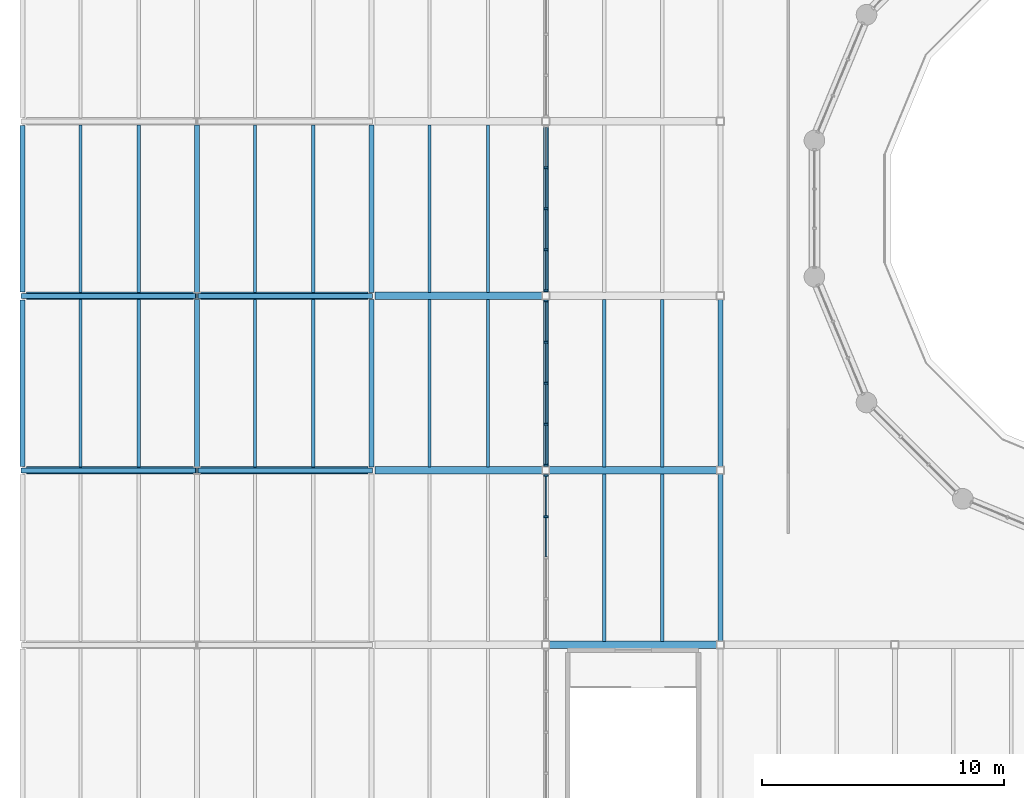
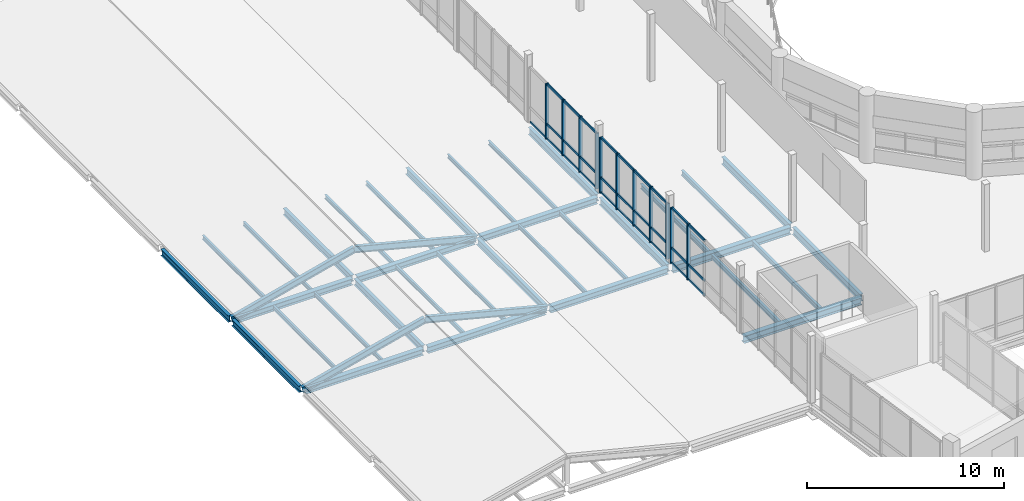
# One storey, part 17 of 63: 43 members, 34 beams, 3 elements without a shape of their own.
"""IFC4 building model written with IfcOpenShell, lengths in metres."""

from ifc_helpers import new_model, si_unit, direction, frame, origin, origin_2d, place, context, subcontext, project, spatial, rectangle, i_section, extrude, material, material_profile, profile_set, type_object, element, aggregate, save


model = new_model("IFC4")

# Units and contexts
model_context = context("Model", 3, precision=1e-05, world=origin(), true_north=direction((0.0, 1.0)))
body_context = subcontext(model_context, "Body", "Model", "MODEL_VIEW")
ifc_project = project(units=[si_unit("LENGTHUNIT", "METRE"), si_unit("AREAUNIT", "SQUARE_METRE"), si_unit("VOLUMEUNIT", "CUBIC_METRE"), si_unit("PLANEANGLEUNIT", "RADIAN"), si_unit("MASSUNIT", "GRAM", prefix="KILO")], contexts=[model_context])

# Site, building, storey
site_placement = place(None, origin())
site = spatial("IfcSite", under=ifc_project, at=site_placement, CompositionType="ELEMENT")
building_placement = place(site_placement, origin())
building = spatial("IfcBuilding", under=site, at=building_placement, Name="Qiaolan Assembly House", CompositionType="ELEMENT")
storey_placement = place(building_placement, frame((0.0, 0.0, 14.39990234375)))
storey = spatial("IfcBuildingStorey", under=building, at=storey_placement, Name="L03", CompositionType="ELEMENT", Elevation=14.39990234375)

# Beams
ifc_material_1 = material(Name="Steel Q355B", Category="steel")
ifc_material_profile_1 = material_profile(ifc_material_1, i_section(OverallWidth=0.300048828125, OverallDepth=0.389892578125, WebThickness=0.010009765625, FlangeThickness=0.01611328125, FilletRadius=0.01806640625, at=origin_2d()), Name="HM 390x300x10x16")
ifc_profile_set_1 = profile_set([ifc_material_profile_1], Name="Steel Q355B")
beam_type_1 = type_object("IfcBeamType", Name="BM-STL-HM390", PredefinedType="BEAM", material=ifc_profile_set_1)
beam_1_placement = place(storey_placement, frame((21.764892578125, 50.39990234375, -0.494873046875), z_axis=(1.0, 0.0, 0.0), x_axis=(0.0, 1.0, 0.0)))
element("IfcBeam", 1, at=beam_1_placement, inside=storey, type_object=beam_type_1, Name="SB-08 beam BMX-HLWTR-L03-00-02", PredefinedType="BEAM", context=body_context, shape_type="SweptSolid", body=[
    extrude(i_section(OverallWidth=0.300048828125, OverallDepth=0.389892578125, WebThickness=0.010009765625, FlangeThickness=0.01611328125, FilletRadius=0.01806640625, at=origin_2d()), origin(), (0.0, 0.0, 1.0), 6.89501953125),
])
for number, where, z_axis, x_axis, name in (
    (2, (28.93994140625, 50.39990234375, -0.494873046875), (1.0, 0.0, 0.0), (0.0, 1.0, 0.0), "SB-08 beam BMX-HLWTR-L03-01-02"),
    (3, (36.139892578125, 50.39990234375, -0.494873046875), (1.0, 0.0, 0.0), (0.0, 1.0, 0.0), "SB-08 beam BMX-HLWTR-L03-02-02"),
):
    element("IfcBeam", number, at=place(storey_placement, frame(where, z_axis=z_axis, x_axis=x_axis)), inside=storey, type_object=beam_type_1, Name=name, PredefinedType="BEAM", context=body_context, shape_type="SweptSolid", body=[
        extrude(i_section(OverallWidth=0.300048828125, OverallDepth=0.389892578125, WebThickness=0.010009765625, FlangeThickness=0.01611328125, FilletRadius=0.01806640625, at=origin_2d()), origin(), (0.0, 0.0, 1.0), 6.920166015625),
    ])
beam_2_placement = place(storey_placement, frame((21.764892578125, 57.60009765625, -0.494873046875), z_axis=(1.0, 0.0, 0.0), x_axis=(0.0, 1.0, 0.0)))
element("IfcBeam", 4, at=beam_2_placement, inside=storey, type_object=beam_type_1, Name="SB-08 beam BMX-HLWTR-L03-00-03", PredefinedType="BEAM", context=body_context, shape_type="SweptSolid", body=[
    extrude(i_section(OverallWidth=0.300048828125, OverallDepth=0.389892578125, WebThickness=0.010009765625, FlangeThickness=0.01611328125, FilletRadius=0.01806640625, at=origin_2d()), origin(), (0.0, 0.0, 1.0), 6.89501953125),
])
for number, where, z_axis, x_axis, name in (
    (5, (28.93994140625, 57.60009765625, -0.494873046875), (1.0, 0.0, 0.0), (0.0, 1.0, 0.0), "SB-08 beam BMX-HLWTR-L03-01-03"),
    (6, (36.139892578125, 57.60009765625, -0.494873046875), (1.0, 0.0, 0.0), (0.0, 1.0, 0.0), "SB-08 beam BMX-HLWTR-L03-02-03"),
):
    element("IfcBeam", number, at=place(storey_placement, frame(where, z_axis=z_axis, x_axis=x_axis)), inside=storey, type_object=beam_type_1, Name=name, PredefinedType="BEAM", context=body_context, shape_type="SweptSolid", body=[
        extrude(i_section(OverallWidth=0.300048828125, OverallDepth=0.389892578125, WebThickness=0.010009765625, FlangeThickness=0.01611328125, FilletRadius=0.01806640625, at=origin_2d()), origin(), (0.0, 0.0, 1.0), 6.920166015625),
    ])
ifc_material_profile_2 = material_profile(ifc_material_1, i_section(OverallWidth=0.300048828125, OverallDepth=0.43994140625, WebThickness=0.010986328125, FlangeThickness=0.01806640625, FilletRadius=0.02001953125, at=origin_2d()), Name="HM 440x300x11x18")
ifc_profile_set_2 = profile_set([ifc_material_profile_2], Name="Steel Q355B")
beam_type_2 = type_object("IfcBeamType", Name="BM-STL-HM440", PredefinedType="BEAM", material=ifc_profile_set_2)
for number, where, z_axis, x_axis, name in (
    (7, (43.340087890625, 43.199951171875, -0.52001953125), (1.0, 0.0, 0.0), (0.0, 1.0, 0.0), "SB-06 beam BMX-HLC-L03-00-01"),
    (8, (43.340087890625, 50.39990234375, -0.52001953125), (1.0, 0.0, 0.0), (0.0, 1.0, 0.0), "SB-06 beam BMX-HLC-L03-00-02"),
):
    element("IfcBeam", number, at=place(storey_placement, frame(where, z_axis=z_axis, x_axis=x_axis)), inside=storey, type_object=beam_type_2, Name=name, PredefinedType="BEAM", context=body_context, shape_type="SweptSolid", body=[
        extrude(i_section(OverallWidth=0.300048828125, OverallDepth=0.43994140625, WebThickness=0.010986328125, FlangeThickness=0.01806640625, FilletRadius=0.02001953125, at=origin_2d()), origin(), (0.0, 0.0, 1.0), 6.919921875),
    ])
ifc_material_profile_3 = material_profile(ifc_material_1, i_section(OverallWidth=0.199951171875, OverallDepth=0.39990234375, WebThickness=0.008056640625, FlangeThickness=0.012939453125, FilletRadius=0.01611328125, at=origin_2d()), Name="HN 400x200x8x13")
ifc_profile_set_3 = profile_set([ifc_material_profile_3], Name="Steel Q355B")
beam_type_3 = type_object("IfcBeamType", Name="BM-STL-HN400", PredefinedType="BEAM", material=ifc_profile_set_3)
for number, where, z_axis, x_axis, name in (
    (9, (21.60009765625, 50.56494140625, -0.5), (0.0, 1.0, 0.0), (-1.0, 0.0, 0.0), "SB-09 beam BMY-HLWTR-L03-00-02"),
    (10, (21.60009765625, 57.764892578125, -0.5), (0.0, 1.0, 0.0), (-1.0, 0.0, 0.0), "SB-09 beam BMY-HLWTR-L03-00-03"),
):
    element("IfcBeam", number, at=place(storey_placement, frame(where, z_axis=z_axis, x_axis=x_axis)), inside=storey, type_object=beam_type_3, Name=name, PredefinedType="BEAM", context=body_context, shape_type="SweptSolid", body=[
        extrude(i_section(OverallWidth=0.199951171875, OverallDepth=0.39990234375, WebThickness=0.008056640625, FlangeThickness=0.012939453125, FilletRadius=0.01611328125, at=origin_2d()), origin(), (0.0, 0.0, 1.0), 6.8701171875),
    ])
for number, where, z_axis, x_axis, name in (
    (11, (28.800048828125, 50.5400390625, -0.5), (0.0, 1.0, 0.0), (-1.0, 0.0, 0.0), "SB-09 beam BMY-HLWTR-L03-01-02"),
    (12, (28.800048828125, 57.739990234375, -0.5), (0.0, 1.0, 0.0), (-1.0, 0.0, 0.0), "SB-09 beam BMY-HLWTR-L03-01-03"),
    (13, (36.0, 50.5400390625, -0.5), (0.0, 1.0, 0.0), (-1.0, 0.0, 0.0), "SB-09 beam BMY-HLWTR-L03-02-02"),
    (14, (36.0, 57.739990234375, -0.5), (0.0, 1.0, 0.0), (-1.0, 0.0, 0.0), "SB-09 beam BMY-HLWTR-L03-02-03"),
):
    element("IfcBeam", number, at=place(storey_placement, frame(where, z_axis=z_axis, x_axis=x_axis)), inside=storey, type_object=beam_type_3, Name=name, PredefinedType="BEAM", context=body_context, shape_type="SweptSolid", body=[
        extrude(i_section(OverallWidth=0.199951171875, OverallDepth=0.39990234375, WebThickness=0.008056640625, FlangeThickness=0.012939453125, FilletRadius=0.01611328125, at=origin_2d()), origin(), (0.0, 0.0, 1.0), 6.919921875),
    ])
ifc_material_profile_4 = material_profile(ifc_material_1, i_section(OverallWidth=0.199951171875, OverallDepth=0.449951171875, WebThickness=0.009033203125, FlangeThickness=0.013916015625, FilletRadius=0.01611328125, at=origin_2d()), Name="HN 450x200x9x14")
ifc_profile_set_4 = profile_set([ifc_material_profile_4], Name="Steel Q355B")
beam_type_4 = type_object("IfcBeamType", Name="BM-STL-HN450", PredefinedType="BEAM", material=ifc_profile_set_4)
for number, where, z_axis, x_axis, name in (
    (15, (43.199951171875, 50.5400390625, -0.52490234375), (0.0, 1.0, 0.0), (-1.0, 0.0, 0.0), "SB-07 beam BMY-HLC-L03-00-02"),
    (16, (43.199951171875, 57.739990234375, -0.52490234375), (0.0, 1.0, 0.0), (-1.0, 0.0, 0.0), "SB-07 beam BMY-HLC-L03-00-03"),
    (17, (50.39990234375, 43.340087890625, -0.52490234375), (0.0, 1.0, 0.0), (-1.0, 0.0, 0.0), "SB-07 beam BMY-HLC-L03-01-01"),
    (18, (50.39990234375, 50.5400390625, -0.52490234375), (0.0, 1.0, 0.0), (-1.0, 0.0, 0.0), "SB-07 beam BMY-HLC-L03-01-02"),
):
    element("IfcBeam", number, at=place(storey_placement, frame(where, z_axis=z_axis, x_axis=x_axis)), inside=storey, type_object=beam_type_4, Name=name, PredefinedType="BEAM", context=body_context, shape_type="SweptSolid", body=[
        extrude(i_section(OverallWidth=0.199951171875, OverallDepth=0.449951171875, WebThickness=0.009033203125, FlangeThickness=0.013916015625, FilletRadius=0.01611328125, at=origin_2d()), origin(), (0.0, 0.0, 1.0), 6.919921875),
    ])

# Curtain wall, members
ifc_material_2 = material(Name="Anodised bronze aluminium", Category="aluminium")
curtain_wall_type = type_object("IfcCurtainWallType", Name="CW-HALL-CONC-420", PredefinedType="NOTDEFINED", material=ifc_material_2)
curtain_wall_1_placement = place(storey_placement, origin())
curtain_wall_1 = element("IfcCurtainWall", 19, at=curtain_wall_1_placement, inside=storey, type_object=curtain_wall_type, Name="CW-07 L03 Concourse West CW 2", PredefinedType="NOTDEFINED")
ifc_material_profile_5 = material_profile(ifc_material_2, rectangle(XDim=0.08203125, YDim=0.18994140625, at=origin_2d()), Name="MUL 82x190")
ifc_profile_set_5 = profile_set([ifc_material_profile_5], Name="Anodised bronze aluminium")
member_type_1 = type_object("IfcMemberType", Name="CW-HALL-CONC-420-MUL", PredefinedType="MULLION", material=ifc_profile_set_5)
member_1_placement = place(storey_placement, frame((43.199951171875, 48.4951171875, 0.0), z_axis=(0.0, 0.0, 1.0), x_axis=(0.0, 1.0, 0.0)))
member_1 = element("IfcMember", 20, at=member_1_placement, type_object=member_type_1, Name="ML-03 mullion CW-HLC-W-01-4", PredefinedType="MULLION", context=body_context, shape_type="SweptSolid", body=[
    extrude(rectangle(XDim=0.08203125, YDim=0.18994140625, at=origin_2d()), origin(), (0.0, 0.0, 1.0), 3.4501953125),
])
member_2_placement = place(storey_placement, frame((43.199951171875, 50.18994140625, 0.0), z_axis=(0.0, 0.0, 1.0), x_axis=(0.0, 1.0, 0.0)))
member_2 = element("IfcMember", 21, at=member_2_placement, type_object=member_type_1, Name="ML-03 mullion CW-HLC-W-01-5", PredefinedType="MULLION", context=body_context, shape_type="SweptSolid", body=[
    extrude(rectangle(XDim=0.08203125, YDim=0.18994140625, at=origin_2d()), origin(), (0.0, 0.0, 1.0), 3.4501953125),
])

curtain_wall_2_placement = place(storey_placement, origin())
curtain_wall_2 = element("IfcCurtainWall", 22, at=curtain_wall_2_placement, inside=storey, type_object=curtain_wall_type, Name="CW-07 L03 Concourse West CW 3", PredefinedType="NOTDEFINED")
member_3_placement = place(storey_placement, frame((43.199951171875, 50.610107421875, 0.0), z_axis=(0.0, 0.0, 1.0), x_axis=(0.0, 1.0, 0.0)))
member_3 = element("IfcMember", 23, at=member_3_placement, type_object=member_type_1, Name="ML-03 mullion CW-HLC-W-02-1", PredefinedType="MULLION", context=body_context, shape_type="SweptSolid", body=[
    extrude(rectangle(XDim=0.08203125, YDim=0.18994140625, at=origin_2d()), origin(), (0.0, 0.0, 1.0), 3.4501953125),
])
member_4_placement = place(storey_placement, frame((43.199951171875, 52.304931640625, 0.0), z_axis=(0.0, 0.0, 1.0), x_axis=(0.0, 1.0, 0.0)))
member_4 = element("IfcMember", 24, at=member_4_placement, type_object=member_type_1, Name="ML-03 mullion CW-HLC-W-02-2", PredefinedType="MULLION", context=body_context, shape_type="SweptSolid", body=[
    extrude(rectangle(XDim=0.08203125, YDim=0.18994140625, at=origin_2d()), origin(), (0.0, 0.0, 1.0), 3.4501953125),
])
member_5_placement = place(storey_placement, frame((43.199951171875, 54.0, 0.0), z_axis=(0.0, 0.0, 1.0), x_axis=(0.0, 1.0, 0.0)))
member_5 = element("IfcMember", 25, at=member_5_placement, type_object=member_type_1, Name="ML-03 mullion CW-HLC-W-02-3", PredefinedType="MULLION", context=body_context, shape_type="SweptSolid", body=[
    extrude(rectangle(XDim=0.08203125, YDim=0.18994140625, at=origin_2d()), origin(), (0.0, 0.0, 1.0), 3.4501953125),
])
member_6_placement = place(storey_placement, frame((43.199951171875, 55.695068359375, 0.0), z_axis=(0.0, 0.0, 1.0), x_axis=(0.0, 1.0, 0.0)))
member_6 = element("IfcMember", 26, at=member_6_placement, type_object=member_type_1, Name="ML-03 mullion CW-HLC-W-02-4", PredefinedType="MULLION", context=body_context, shape_type="SweptSolid", body=[
    extrude(rectangle(XDim=0.08203125, YDim=0.18994140625, at=origin_2d()), origin(), (0.0, 0.0, 1.0), 3.4501953125),
])
member_7_placement = place(storey_placement, frame((43.199951171875, 57.389892578125, 0.0), z_axis=(0.0, 0.0, 1.0), x_axis=(0.0, 1.0, 0.0)))
member_7 = element("IfcMember", 27, at=member_7_placement, type_object=member_type_1, Name="ML-03 mullion CW-HLC-W-02-5", PredefinedType="MULLION", context=body_context, shape_type="SweptSolid", body=[
    extrude(rectangle(XDim=0.08203125, YDim=0.18994140625, at=origin_2d()), origin(), (0.0, 0.0, 1.0), 3.4501953125),
])

curtain_wall_3_placement = place(storey_placement, origin())
curtain_wall_3 = element("IfcCurtainWall", 28, at=curtain_wall_3_placement, inside=storey, type_object=curtain_wall_type, Name="CW-07 L03 Concourse West CW 4", PredefinedType="NOTDEFINED")
member_8_placement = place(storey_placement, frame((43.199951171875, 57.81005859375, 0.0), z_axis=(0.0, 0.0, 1.0), x_axis=(0.0, 1.0, 0.0)))
member_8 = element("IfcMember", 29, at=member_8_placement, type_object=member_type_1, Name="ML-03 mullion CW-HLC-W-03-1", PredefinedType="MULLION", context=body_context, shape_type="SweptSolid", body=[
    extrude(rectangle(XDim=0.08203125, YDim=0.18994140625, at=origin_2d()), origin(), (0.0, 0.0, 1.0), 3.4501953125),
])
member_9_placement = place(storey_placement, frame((43.199951171875, 59.5048828125, 0.0), z_axis=(0.0, 0.0, 1.0), x_axis=(0.0, 1.0, 0.0)))
member_9 = element("IfcMember", 30, at=member_9_placement, type_object=member_type_1, Name="ML-03 mullion CW-HLC-W-03-2", PredefinedType="MULLION", context=body_context, shape_type="SweptSolid", body=[
    extrude(rectangle(XDim=0.08203125, YDim=0.18994140625, at=origin_2d()), origin(), (0.0, 0.0, 1.0), 3.4501953125),
])
member_10_placement = place(storey_placement, frame((43.199951171875, 61.199951171875, 0.0), z_axis=(0.0, 0.0, 1.0), x_axis=(0.0, 1.0, 0.0)))
member_10 = element("IfcMember", 31, at=member_10_placement, type_object=member_type_1, Name="ML-03 mullion CW-HLC-W-03-3", PredefinedType="MULLION", context=body_context, shape_type="SweptSolid", body=[
    extrude(rectangle(XDim=0.08203125, YDim=0.18994140625, at=origin_2d()), origin(), (0.0, 0.0, 1.0), 3.4501953125),
])
member_11_placement = place(storey_placement, frame((43.199951171875, 62.89501953125, 0.0), z_axis=(0.0, 0.0, 1.0), x_axis=(0.0, 1.0, 0.0)))
member_11 = element("IfcMember", 32, at=member_11_placement, type_object=member_type_1, Name="ML-03 mullion CW-HLC-W-03-4", PredefinedType="MULLION", context=body_context, shape_type="SweptSolid", body=[
    extrude(rectangle(XDim=0.08203125, YDim=0.18994140625, at=origin_2d()), origin(), (0.0, 0.0, 1.0), 3.4501953125),
])

# Member
ifc_material_profile_6 = material_profile(ifc_material_2, rectangle(XDim=0.072021484375, YDim=0.14501953125, at=origin_2d()), Name="TRN 72x145")
ifc_profile_set_6 = profile_set([ifc_material_profile_6], Name="Anodised bronze aluminium")
member_type_2 = type_object("IfcMemberType", Name="CW-HALL-CONC-420-TRN", PredefinedType="USERDEFINED", material=ifc_profile_set_6)
member_12_placement = place(storey_placement, frame((43.199951171875, 46.841064453125, 0.030029296875), z_axis=(0.0, 1.0, 0.0), x_axis=(-1.0, 0.0, 0.0)))
member_12 = element("IfcMember", 33, at=member_12_placement, type_object=member_type_2, Name="TR-03 transom CW-HLC-W-01-3-1", ObjectType="TRANSOM", PredefinedType="USERDEFINED", context=body_context, shape_type="SweptSolid", body=[
    extrude(rectangle(XDim=0.072021484375, YDim=0.14501953125, at=origin_2d()), origin(), (0.0, 0.0, 1.0), 1.613037109375),
])

member_13_placement = place(storey_placement, frame((43.199951171875, 46.841064453125, 0.9501953125), z_axis=(0.0, 1.0, 0.0), x_axis=(-1.0, 0.0, 0.0)))
member_13 = element("IfcMember", 34, at=member_13_placement, type_object=member_type_2, Name="TR-03 transom CW-HLC-W-01-3-2", ObjectType="TRANSOM", PredefinedType="USERDEFINED", context=body_context, shape_type="SweptSolid", body=[
    extrude(rectangle(XDim=0.072021484375, YDim=0.14501953125, at=origin_2d()), origin(), (0.0, 0.0, 1.0), 1.613037109375),
])

member_14_placement = place(storey_placement, frame((43.199951171875, 46.841064453125, 3.420166015625), z_axis=(0.0, 1.0, 0.0), x_axis=(-1.0, 0.0, 0.0)))
member_14 = element("IfcMember", 35, at=member_14_placement, type_object=member_type_2, Name="TR-03 transom CW-HLC-W-01-3-3", ObjectType="TRANSOM", PredefinedType="USERDEFINED", context=body_context, shape_type="SweptSolid", body=[
    extrude(rectangle(XDim=0.072021484375, YDim=0.14501953125, at=origin_2d()), origin(), (0.0, 0.0, 1.0), 1.613037109375),
])

member_15_placement = place(storey_placement, frame((43.199951171875, 48.535888671875, 0.030029296875), z_axis=(0.0, 1.0, 0.0), x_axis=(-1.0, 0.0, 0.0)))
member_15 = element("IfcMember", 36, at=member_15_placement, type_object=member_type_2, Name="TR-03 transom CW-HLC-W-01-4-1", ObjectType="TRANSOM", PredefinedType="USERDEFINED", context=body_context, shape_type="SweptSolid", body=[
    extrude(rectangle(XDim=0.072021484375, YDim=0.14501953125, at=origin_2d()), origin(), (0.0, 0.0, 1.0), 1.613037109375),
])

member_16_placement = place(storey_placement, frame((43.199951171875, 48.535888671875, 0.9501953125), z_axis=(0.0, 1.0, 0.0), x_axis=(-1.0, 0.0, 0.0)))
member_16 = element("IfcMember", 37, at=member_16_placement, type_object=member_type_2, Name="TR-03 transom CW-HLC-W-01-4-2", ObjectType="TRANSOM", PredefinedType="USERDEFINED", context=body_context, shape_type="SweptSolid", body=[
    extrude(rectangle(XDim=0.072021484375, YDim=0.14501953125, at=origin_2d()), origin(), (0.0, 0.0, 1.0), 1.613037109375),
])

member_17_placement = place(storey_placement, frame((43.199951171875, 48.535888671875, 3.420166015625), z_axis=(0.0, 1.0, 0.0), x_axis=(-1.0, 0.0, 0.0)))
member_17 = element("IfcMember", 38, at=member_17_placement, type_object=member_type_2, Name="TR-03 transom CW-HLC-W-01-4-3", ObjectType="TRANSOM", PredefinedType="USERDEFINED", context=body_context, shape_type="SweptSolid", body=[
    extrude(rectangle(XDim=0.072021484375, YDim=0.14501953125, at=origin_2d()), origin(), (0.0, 0.0, 1.0), 1.613037109375),
])

aggregate(curtain_wall_1, [member_1, member_2, member_12, member_13, member_14, member_15, member_16, member_17])

member_18_placement = place(storey_placement, frame((43.199951171875, 50.65087890625, 0.030029296875), z_axis=(0.0, 1.0, 0.0), x_axis=(-1.0, 0.0, 0.0)))
member_18 = element("IfcMember", 39, at=member_18_placement, type_object=member_type_2, Name="TR-03 transom CW-HLC-W-02-1-1", ObjectType="TRANSOM", PredefinedType="USERDEFINED", context=body_context, shape_type="SweptSolid", body=[
    extrude(rectangle(XDim=0.072021484375, YDim=0.14501953125, at=origin_2d()), origin(), (0.0, 0.0, 1.0), 1.613037109375),
])

member_19_placement = place(storey_placement, frame((43.199951171875, 50.65087890625, 0.9501953125), z_axis=(0.0, 1.0, 0.0), x_axis=(-1.0, 0.0, 0.0)))
member_19 = element("IfcMember", 40, at=member_19_placement, type_object=member_type_2, Name="TR-03 transom CW-HLC-W-02-1-2", ObjectType="TRANSOM", PredefinedType="USERDEFINED", context=body_context, shape_type="SweptSolid", body=[
    extrude(rectangle(XDim=0.072021484375, YDim=0.14501953125, at=origin_2d()), origin(), (0.0, 0.0, 1.0), 1.613037109375),
])

member_20_placement = place(storey_placement, frame((43.199951171875, 50.65087890625, 3.420166015625), z_axis=(0.0, 1.0, 0.0), x_axis=(-1.0, 0.0, 0.0)))
member_20 = element("IfcMember", 41, at=member_20_placement, type_object=member_type_2, Name="TR-03 transom CW-HLC-W-02-1-3", ObjectType="TRANSOM", PredefinedType="USERDEFINED", context=body_context, shape_type="SweptSolid", body=[
    extrude(rectangle(XDim=0.072021484375, YDim=0.14501953125, at=origin_2d()), origin(), (0.0, 0.0, 1.0), 1.613037109375),
])

member_21_placement = place(storey_placement, frame((43.199951171875, 52.345947265625, 0.030029296875), z_axis=(0.0, 1.0, 0.0), x_axis=(-1.0, 0.0, 0.0)))
member_21 = element("IfcMember", 42, at=member_21_placement, type_object=member_type_2, Name="TR-03 transom CW-HLC-W-02-2-1", ObjectType="TRANSOM", PredefinedType="USERDEFINED", context=body_context, shape_type="SweptSolid", body=[
    extrude(rectangle(XDim=0.072021484375, YDim=0.14501953125, at=origin_2d()), origin(), (0.0, 0.0, 1.0), 1.613037109375),
])

member_22_placement = place(storey_placement, frame((43.199951171875, 52.345947265625, 0.9501953125), z_axis=(0.0, 1.0, 0.0), x_axis=(-1.0, 0.0, 0.0)))
member_22 = element("IfcMember", 43, at=member_22_placement, type_object=member_type_2, Name="TR-03 transom CW-HLC-W-02-2-2", ObjectType="TRANSOM", PredefinedType="USERDEFINED", context=body_context, shape_type="SweptSolid", body=[
    extrude(rectangle(XDim=0.072021484375, YDim=0.14501953125, at=origin_2d()), origin(), (0.0, 0.0, 1.0), 1.613037109375),
])

member_23_placement = place(storey_placement, frame((43.199951171875, 52.345947265625, 3.420166015625), z_axis=(0.0, 1.0, 0.0), x_axis=(-1.0, 0.0, 0.0)))
member_23 = element("IfcMember", 44, at=member_23_placement, type_object=member_type_2, Name="TR-03 transom CW-HLC-W-02-2-3", ObjectType="TRANSOM", PredefinedType="USERDEFINED", context=body_context, shape_type="SweptSolid", body=[
    extrude(rectangle(XDim=0.072021484375, YDim=0.14501953125, at=origin_2d()), origin(), (0.0, 0.0, 1.0), 1.613037109375),
])

member_24_placement = place(storey_placement, frame((43.199951171875, 54.041015625, 0.030029296875), z_axis=(0.0, 1.0, 0.0), x_axis=(-1.0, 0.0, 0.0)))
member_24 = element("IfcMember", 45, at=member_24_placement, type_object=member_type_2, Name="TR-03 transom CW-HLC-W-02-3-1", ObjectType="TRANSOM", PredefinedType="USERDEFINED", context=body_context, shape_type="SweptSolid", body=[
    extrude(rectangle(XDim=0.072021484375, YDim=0.14501953125, at=origin_2d()), origin(), (0.0, 0.0, 1.0), 1.613037109375),
])

member_25_placement = place(storey_placement, frame((43.199951171875, 54.041015625, 0.9501953125), z_axis=(0.0, 1.0, 0.0), x_axis=(-1.0, 0.0, 0.0)))
member_25 = element("IfcMember", 46, at=member_25_placement, type_object=member_type_2, Name="TR-03 transom CW-HLC-W-02-3-2", ObjectType="TRANSOM", PredefinedType="USERDEFINED", context=body_context, shape_type="SweptSolid", body=[
    extrude(rectangle(XDim=0.072021484375, YDim=0.14501953125, at=origin_2d()), origin(), (0.0, 0.0, 1.0), 1.613037109375),
])

member_26_placement = place(storey_placement, frame((43.199951171875, 54.041015625, 3.420166015625), z_axis=(0.0, 1.0, 0.0), x_axis=(-1.0, 0.0, 0.0)))
member_26 = element("IfcMember", 47, at=member_26_placement, type_object=member_type_2, Name="TR-03 transom CW-HLC-W-02-3-3", ObjectType="TRANSOM", PredefinedType="USERDEFINED", context=body_context, shape_type="SweptSolid", body=[
    extrude(rectangle(XDim=0.072021484375, YDim=0.14501953125, at=origin_2d()), origin(), (0.0, 0.0, 1.0), 1.613037109375),
])

member_27_placement = place(storey_placement, frame((43.199951171875, 55.736083984375, 0.030029296875), z_axis=(0.0, 1.0, 0.0), x_axis=(-1.0, 0.0, 0.0)))
member_27 = element("IfcMember", 48, at=member_27_placement, type_object=member_type_2, Name="TR-03 transom CW-HLC-W-02-4-1", ObjectType="TRANSOM", PredefinedType="USERDEFINED", context=body_context, shape_type="SweptSolid", body=[
    extrude(rectangle(XDim=0.072021484375, YDim=0.14501953125, at=origin_2d()), origin(), (0.0, 0.0, 1.0), 1.613037109375),
])

member_28_placement = place(storey_placement, frame((43.199951171875, 55.736083984375, 0.9501953125), z_axis=(0.0, 1.0, 0.0), x_axis=(-1.0, 0.0, 0.0)))
member_28 = element("IfcMember", 49, at=member_28_placement, type_object=member_type_2, Name="TR-03 transom CW-HLC-W-02-4-2", ObjectType="TRANSOM", PredefinedType="USERDEFINED", context=body_context, shape_type="SweptSolid", body=[
    extrude(rectangle(XDim=0.072021484375, YDim=0.14501953125, at=origin_2d()), origin(), (0.0, 0.0, 1.0), 1.613037109375),
])

member_29_placement = place(storey_placement, frame((43.199951171875, 55.736083984375, 3.420166015625), z_axis=(0.0, 1.0, 0.0), x_axis=(-1.0, 0.0, 0.0)))
member_29 = element("IfcMember", 50, at=member_29_placement, type_object=member_type_2, Name="TR-03 transom CW-HLC-W-02-4-3", ObjectType="TRANSOM", PredefinedType="USERDEFINED", context=body_context, shape_type="SweptSolid", body=[
    extrude(rectangle(XDim=0.072021484375, YDim=0.14501953125, at=origin_2d()), origin(), (0.0, 0.0, 1.0), 1.613037109375),
])

aggregate(curtain_wall_2, [member_3, member_4, member_5, member_6, member_7, member_18, member_19, member_20, member_21, member_22, member_23, member_24, member_25, member_26, member_27, member_28, member_29])

member_30_placement = place(storey_placement, frame((43.199951171875, 57.85107421875, 0.030029296875), z_axis=(0.0, 1.0, 0.0), x_axis=(-1.0, 0.0, 0.0)))
member_30 = element("IfcMember", 51, at=member_30_placement, type_object=member_type_2, Name="TR-03 transom CW-HLC-W-03-1-1", ObjectType="TRANSOM", PredefinedType="USERDEFINED", context=body_context, shape_type="SweptSolid", body=[
    extrude(rectangle(XDim=0.072021484375, YDim=0.14501953125, at=origin_2d()), origin(), (0.0, 0.0, 1.0), 1.613037109375),
])

member_31_placement = place(storey_placement, frame((43.199951171875, 57.85107421875, 0.9501953125), z_axis=(0.0, 1.0, 0.0), x_axis=(-1.0, 0.0, 0.0)))
member_31 = element("IfcMember", 52, at=member_31_placement, type_object=member_type_2, Name="TR-03 transom CW-HLC-W-03-1-2", ObjectType="TRANSOM", PredefinedType="USERDEFINED", context=body_context, shape_type="SweptSolid", body=[
    extrude(rectangle(XDim=0.072021484375, YDim=0.14501953125, at=origin_2d()), origin(), (0.0, 0.0, 1.0), 1.613037109375),
])

member_32_placement = place(storey_placement, frame((43.199951171875, 57.85107421875, 3.420166015625), z_axis=(0.0, 1.0, 0.0), x_axis=(-1.0, 0.0, 0.0)))
member_32 = element("IfcMember", 53, at=member_32_placement, type_object=member_type_2, Name="TR-03 transom CW-HLC-W-03-1-3", ObjectType="TRANSOM", PredefinedType="USERDEFINED", context=body_context, shape_type="SweptSolid", body=[
    extrude(rectangle(XDim=0.072021484375, YDim=0.14501953125, at=origin_2d()), origin(), (0.0, 0.0, 1.0), 1.613037109375),
])

member_33_placement = place(storey_placement, frame((43.199951171875, 59.5458984375, 0.030029296875), z_axis=(0.0, 1.0, 0.0), x_axis=(-1.0, 0.0, 0.0)))
member_33 = element("IfcMember", 54, at=member_33_placement, type_object=member_type_2, Name="TR-03 transom CW-HLC-W-03-2-1", ObjectType="TRANSOM", PredefinedType="USERDEFINED", context=body_context, shape_type="SweptSolid", body=[
    extrude(rectangle(XDim=0.072021484375, YDim=0.14501953125, at=origin_2d()), origin(), (0.0, 0.0, 1.0), 1.613037109375),
])

member_34_placement = place(storey_placement, frame((43.199951171875, 59.5458984375, 0.9501953125), z_axis=(0.0, 1.0, 0.0), x_axis=(-1.0, 0.0, 0.0)))
member_34 = element("IfcMember", 55, at=member_34_placement, type_object=member_type_2, Name="TR-03 transom CW-HLC-W-03-2-2", ObjectType="TRANSOM", PredefinedType="USERDEFINED", context=body_context, shape_type="SweptSolid", body=[
    extrude(rectangle(XDim=0.072021484375, YDim=0.14501953125, at=origin_2d()), origin(), (0.0, 0.0, 1.0), 1.613037109375),
])

member_35_placement = place(storey_placement, frame((43.199951171875, 59.5458984375, 3.420166015625), z_axis=(0.0, 1.0, 0.0), x_axis=(-1.0, 0.0, 0.0)))
member_35 = element("IfcMember", 56, at=member_35_placement, type_object=member_type_2, Name="TR-03 transom CW-HLC-W-03-2-3", ObjectType="TRANSOM", PredefinedType="USERDEFINED", context=body_context, shape_type="SweptSolid", body=[
    extrude(rectangle(XDim=0.072021484375, YDim=0.14501953125, at=origin_2d()), origin(), (0.0, 0.0, 1.0), 1.613037109375),
])

member_36_placement = place(storey_placement, frame((43.199951171875, 61.240966796875, 0.030029296875), z_axis=(0.0, 1.0, 0.0), x_axis=(-1.0, 0.0, 0.0)))
member_36 = element("IfcMember", 57, at=member_36_placement, type_object=member_type_2, Name="TR-03 transom CW-HLC-W-03-3-1", ObjectType="TRANSOM", PredefinedType="USERDEFINED", context=body_context, shape_type="SweptSolid", body=[
    extrude(rectangle(XDim=0.072021484375, YDim=0.14501953125, at=origin_2d()), origin(), (0.0, 0.0, 1.0), 1.613037109375),
])

member_37_placement = place(storey_placement, frame((43.199951171875, 61.240966796875, 0.9501953125), z_axis=(0.0, 1.0, 0.0), x_axis=(-1.0, 0.0, 0.0)))
member_37 = element("IfcMember", 58, at=member_37_placement, type_object=member_type_2, Name="TR-03 transom CW-HLC-W-03-3-2", ObjectType="TRANSOM", PredefinedType="USERDEFINED", context=body_context, shape_type="SweptSolid", body=[
    extrude(rectangle(XDim=0.072021484375, YDim=0.14501953125, at=origin_2d()), origin(), (0.0, 0.0, 1.0), 1.613037109375),
])

member_38_placement = place(storey_placement, frame((43.199951171875, 61.240966796875, 3.420166015625), z_axis=(0.0, 1.0, 0.0), x_axis=(-1.0, 0.0, 0.0)))
member_38 = element("IfcMember", 59, at=member_38_placement, type_object=member_type_2, Name="TR-03 transom CW-HLC-W-03-3-3", ObjectType="TRANSOM", PredefinedType="USERDEFINED", context=body_context, shape_type="SweptSolid", body=[
    extrude(rectangle(XDim=0.072021484375, YDim=0.14501953125, at=origin_2d()), origin(), (0.0, 0.0, 1.0), 1.613037109375),
])

member_39_placement = place(storey_placement, frame((43.199951171875, 62.93603515625, 0.030029296875), z_axis=(0.0, 1.0, 0.0), x_axis=(-1.0, 0.0, 0.0)))
member_39 = element("IfcMember", 60, at=member_39_placement, type_object=member_type_2, Name="TR-03 transom CW-HLC-W-03-4-1", ObjectType="TRANSOM", PredefinedType="USERDEFINED", context=body_context, shape_type="SweptSolid", body=[
    extrude(rectangle(XDim=0.072021484375, YDim=0.14501953125, at=origin_2d()), origin(), (0.0, 0.0, 1.0), 1.613037109375),
])

aggregate(curtain_wall_3, [member_8, member_9, member_10, member_11, member_30, member_31, member_32, member_33, member_34, member_35, member_36, member_37, member_38, member_39])

# Beams
ifc_material_profile_7 = material_profile(ifc_material_1, i_section(OverallWidth=0.125, OverallDepth=0.25, WebThickness=0.006103515625, FlangeThickness=0.009033203125, FilletRadius=0.011962890625, at=origin_2d()), Name="HN 250x125x6x9")
ifc_profile_set_7 = profile_set([ifc_material_profile_7], Name="Steel Q355B")
beam_type_5 = type_object("IfcBeamType", Name="JST-STL-HN250", PredefinedType="JOIST", material=ifc_profile_set_7)
for number, where, z_axis, x_axis, name in (
    (61, (24.0, 50.5439453125, -0.4248046875), (0.0, 1.0, 0.0), (-1.0, 0.0, 0.0), "SJ-03 beam JST-HLWTR-L03-00-02-1"),
    (62, (26.39990234375, 50.5439453125, -0.4248046875), (0.0, 1.0, 0.0), (-1.0, 0.0, 0.0), "SJ-03 beam JST-HLWTR-L03-00-02-2"),
    (63, (24.0, 57.743896484375, -0.4248046875), (0.0, 1.0, 0.0), (-1.0, 0.0, 0.0), "SJ-03 beam JST-HLWTR-L03-00-03-1"),
    (64, (26.39990234375, 57.743896484375, -0.4248046875), (0.0, 1.0, 0.0), (-1.0, 0.0, 0.0), "SJ-03 beam JST-HLWTR-L03-00-03-2"),
    (65, (31.199951171875, 50.5439453125, -0.4248046875), (0.0, 1.0, 0.0), (-1.0, 0.0, 0.0), "SJ-03 beam JST-HLWTR-L03-01-02-1"),
    (66, (33.60009765625, 50.5439453125, -0.4248046875), (0.0, 1.0, 0.0), (-1.0, 0.0, 0.0), "SJ-03 beam JST-HLWTR-L03-01-02-2"),
    (67, (31.199951171875, 57.743896484375, -0.4248046875), (0.0, 1.0, 0.0), (-1.0, 0.0, 0.0), "SJ-03 beam JST-HLWTR-L03-01-03-1"),
    (68, (33.60009765625, 57.743896484375, -0.4248046875), (0.0, 1.0, 0.0), (-1.0, 0.0, 0.0), "SJ-03 beam JST-HLWTR-L03-01-03-2"),
    (69, (38.39990234375, 50.5439453125, -0.4248046875), (0.0, 1.0, 0.0), (-1.0, 0.0, 0.0), "SJ-03 beam JST-HLWTR-L03-02-02-1"),
    (70, (40.800048828125, 50.5439453125, -0.4248046875), (0.0, 1.0, 0.0), (-1.0, 0.0, 0.0), "SJ-03 beam JST-HLWTR-L03-02-02-2"),
    (71, (38.39990234375, 57.743896484375, -0.4248046875), (0.0, 1.0, 0.0), (-1.0, 0.0, 0.0), "SJ-03 beam JST-HLWTR-L03-02-03-1"),
    (72, (40.800048828125, 57.743896484375, -0.4248046875), (0.0, 1.0, 0.0), (-1.0, 0.0, 0.0), "SJ-03 beam JST-HLWTR-L03-02-03-2"),
):
    element("IfcBeam", number, at=place(storey_placement, frame(where, z_axis=z_axis, x_axis=x_axis)), inside=storey, type_object=beam_type_5, Name=name, PredefinedType="JOIST", context=body_context, shape_type="SweptSolid", body=[
        extrude(i_section(OverallWidth=0.125, OverallDepth=0.25, WebThickness=0.006103515625, FlangeThickness=0.009033203125, FilletRadius=0.011962890625, at=origin_2d()), origin(), (0.0, 0.0, 1.0), 6.912109375),
    ])
ifc_material_profile_8 = material_profile(ifc_material_1, i_section(OverallWidth=0.14990234375, OverallDepth=0.300048828125, WebThickness=0.006591796875, FlangeThickness=0.009033203125, FilletRadius=0.012939453125, at=origin_2d()), Name="HN 300x150x6.5x9")
ifc_profile_set_8 = profile_set([ifc_material_profile_8], Name="Steel Q355B")
beam_type_6 = type_object("IfcBeamType", Name="JST-STL-HN300", PredefinedType="JOIST", material=ifc_profile_set_8)
for number, where, z_axis, x_axis, name in (
    (73, (45.60009765625, 43.343994140625, -0.449951171875), (0.0, 1.0, 0.0), (-1.0, 0.0, 0.0), "SJ-02 beam JST-HLC-L03-00-01-1"),
    (74, (48.0, 43.343994140625, -0.449951171875), (0.0, 1.0, 0.0), (-1.0, 0.0, 0.0), "SJ-02 beam JST-HLC-L03-00-01-2"),
    (75, (45.60009765625, 50.5439453125, -0.449951171875), (0.0, 1.0, 0.0), (-1.0, 0.0, 0.0), "SJ-02 beam JST-HLC-L03-00-02-1"),
    (76, (48.0, 50.5439453125, -0.449951171875), (0.0, 1.0, 0.0), (-1.0, 0.0, 0.0), "SJ-02 beam JST-HLC-L03-00-02-2"),
):
    element("IfcBeam", number, at=place(storey_placement, frame(where, z_axis=z_axis, x_axis=x_axis)), inside=storey, type_object=beam_type_6, Name=name, PredefinedType="JOIST", context=body_context, shape_type="SweptSolid", body=[
        extrude(i_section(OverallWidth=0.14990234375, OverallDepth=0.300048828125, WebThickness=0.006591796875, FlangeThickness=0.009033203125, FilletRadius=0.012939453125, at=origin_2d()), origin(), (0.0, 0.0, 1.0), 6.912109375),
    ])

# Members
ifc_material_profile_9 = material_profile(ifc_material_1, i_section(OverallWidth=0.199951171875, OverallDepth=0.39990234375, WebThickness=0.008056640625, FlangeThickness=0.012939453125, FilletRadius=0.01611328125, at=origin_2d()), Name="HN 400x200x8x13-RF")
ifc_profile_set_9 = profile_set([ifc_material_profile_9], Name="Steel Q355B")
member_type_3 = type_object("IfcMemberType", Name="MBR-HALL-RAFTER-HN400", PredefinedType="RAFTER", material=ifc_profile_set_9)
for number, where, z_axis, x_axis, name in (
    (77, (21.60009765625, 50.39990234375, -0.4296875), (0.968693848933, 0.0, 0.248258387652), (0.0, 1.0, 0.0), "RF-02 hall skylight rafter WW-50"),
    (78, (28.800048828125, 50.39990234375, 1.41552734375), (0.968693848933, 0.0, -0.248258387652), (0.0, 1.0, 0.0), "RF-02 hall skylight rafter WE-50"),
    (79, (21.60009765625, 57.60009765625, -0.4296875), (0.968693848933, 0.0, 0.248258387652), (0.0, 1.0, 0.0), "RF-02 hall skylight rafter WW-57"),
    (80, (28.800048828125, 57.60009765625, 1.41552734375), (0.968693848933, 0.0, -0.248258387652), (0.0, 1.0, 0.0), "RF-02 hall skylight rafter WE-57"),
):
    element("IfcMember", number, at=place(storey_placement, frame(where, z_axis=z_axis, x_axis=x_axis)), inside=storey, type_object=member_type_3, Name=name, PredefinedType="RAFTER", context=body_context, shape_type="SweptSolid", body=[
        extrude(i_section(OverallWidth=0.199951171875, OverallDepth=0.39990234375, WebThickness=0.008056640625, FlangeThickness=0.012939453125, FilletRadius=0.01611328125, at=origin_2d()), origin(), (0.0, 0.0, 1.0), 7.4326171875),
    ])

save(model, "model.ifc")
